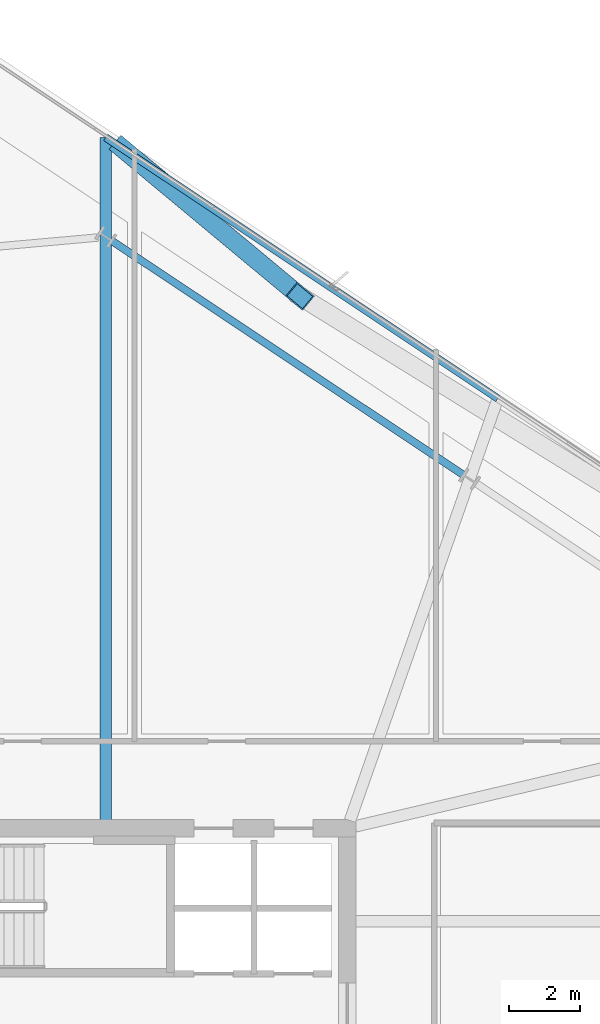
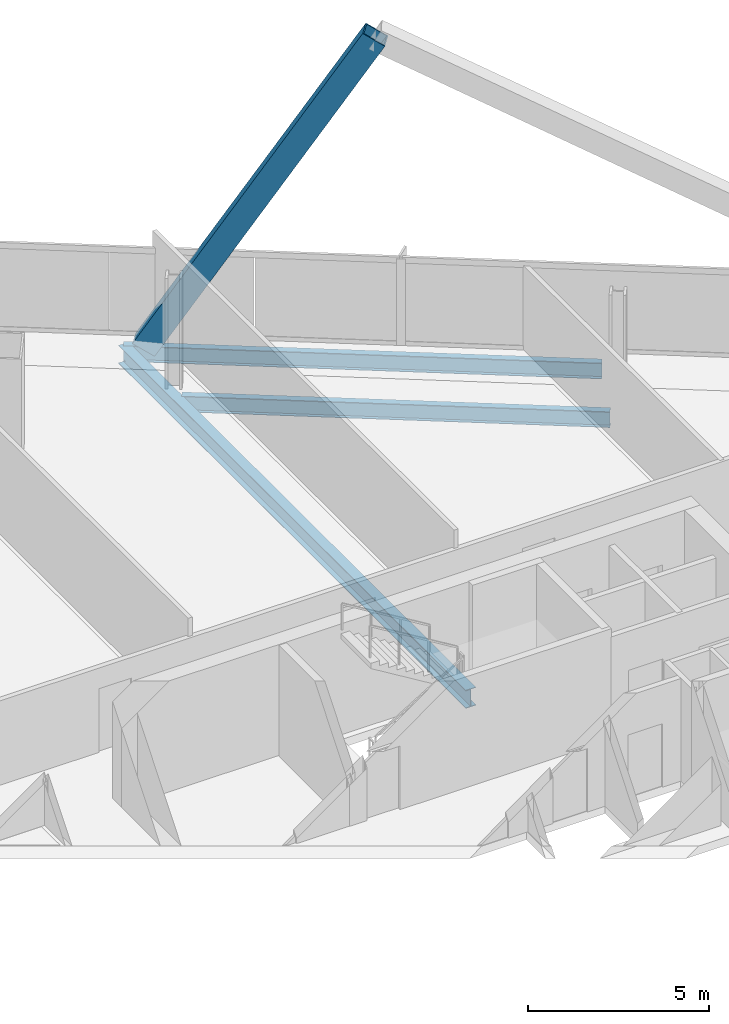
# One storey, part 21 of 32: 3 beams, 1 member.
"""IFC4 building model written with IfcOpenShell, lengths in metres."""

from ifc_helpers import new_model, si_unit, direction, frame, origin, origin_2d, place, context, subcontext, project, spatial, hollow_rectangle, i_section, extrude, material, material_profile, profile_set, type_object, element, save


model = new_model("IFC4")

# Units and contexts
model_context = context("Model", 3, precision=1e-05, world=origin(), true_north=direction((0.0, 1.0)))
body_context = subcontext(model_context, "Body", "Model", "MODEL_VIEW")
ifc_project = project(units=[si_unit("LENGTHUNIT", "METRE"), si_unit("AREAUNIT", "SQUARE_METRE"), si_unit("VOLUMEUNIT", "CUBIC_METRE"), si_unit("PLANEANGLEUNIT", "RADIAN"), si_unit("MASSUNIT", "GRAM", prefix="KILO")], contexts=[model_context])

# Site, building, storey
site_placement = place(None, origin())
site = spatial("IfcSite", under=ifc_project, at=site_placement, CompositionType="ELEMENT")
building_placement = place(site_placement, origin())
building = spatial("IfcBuilding", under=site, at=building_placement, Name="Haldenkirk Collegiate Tower", CompositionType="ELEMENT")
storey_placement = place(building_placement, frame((0.0, 0.0, 217.199951171875)))
storey = spatial("IfcBuildingStorey", under=building, at=storey_placement, Name="L54", CompositionType="ELEMENT", Elevation=217.199951171875)

# Beams
ifc_material_1 = material(Name="Steel ASTM A992 Grade 50", Category="steel")
ifc_material_profile_1 = material_profile(ifc_material_1, i_section(OverallWidth=0.324951171875, OverallDepth=0.615966796875, WebThickness=0.013916015625, FlangeThickness=0.021484375, at=origin_2d()), Name="W24X117")
ifc_profile_set_1 = profile_set([ifc_material_profile_1], Name="Steel ASTM A992 Grade 50")
beam_type_1 = type_object("IfcBeamType", Name="BM-GIRDER-W24X117", PredefinedType="BEAM", material=ifc_profile_set_1)
beam_1_placement = place(storey_placement, frame((38.192626953125, 53.467529296875, -0.587890625), z_axis=(0.0, -1.0, 0.0), x_axis=(1.0, 0.0, 0.0)))
element("IfcBeam", 1, at=beam_1_placement, inside=storey, type_object=beam_type_1, Name="L54 primary floor girder 10", PredefinedType="BEAM", context=body_context, shape_type="SweptSolid", body=[
    extrude(i_section(OverallWidth=0.324951171875, OverallDepth=0.615966796875, WebThickness=0.013916015625, FlangeThickness=0.021484375, at=origin_2d()), origin(), (0.0, 0.0, 1.0), 19.237548828125),
])
ifc_material_profile_2 = material_profile(ifc_material_1, i_section(OverallWidth=0.2099609375, OverallDepth=0.537109375, WebThickness=0.010986328125, FlangeThickness=0.017333984375, at=origin_2d()), Name="W21X68")
ifc_profile_set_2 = profile_set([ifc_material_profile_2], Name="Steel ASTM A992 Grade 50")
beam_type_2 = type_object("IfcBeamType", Name="BM-SPANDREL-W21X68", PredefinedType="SPANDREL", material=ifc_profile_set_2)
beam_2_placement = place(storey_placement, frame((48.266845703125, 43.96240234375, -0.54833984375), z_axis=(-0.832429330124, 0.554131221237, 0.0), x_axis=(-0.554131221237, -0.832429330124, 0.0)))
element("IfcBeam", 2, at=beam_2_placement, inside=storey, type_object=beam_type_2, Name="L54 perimeter spandrel beam 07", PredefinedType="SPANDREL", context=body_context, shape_type="SweptSolid", body=[
    extrude(i_section(OverallWidth=0.2099609375, OverallDepth=0.537109375, WebThickness=0.010986328125, FlangeThickness=0.017333984375, at=origin_2d()), origin(), (0.0, 0.0, 1.0), 11.88525390625),
])
beam_3_placement = place(storey_placement, frame((49.242431640625, 46.112060546875, -0.54833984375), z_axis=(-0.832434917349, 0.554122827881, 0.0), x_axis=(-0.554122827881, -0.832434917349, 0.0)))
element("IfcBeam", 3, at=beam_3_placement, inside=storey, type_object=beam_type_2, Name="L54 outer facade edge beam 2B", PredefinedType="SPANDREL", context=body_context, shape_type="SweptSolid", body=[
    extrude(i_section(OverallWidth=0.2099609375, OverallDepth=0.537109375, WebThickness=0.010986328125, FlangeThickness=0.017333984375, at=origin_2d()), origin(), (0.0, 0.0, 1.0), 13.274169921875),
])

# Member
ifc_material_2 = material(Name="Steel ASTM A572 Grade 50", Category="steel")
ifc_material_profile_3 = material_profile(ifc_material_2, hollow_rectangle(XDim=0.52001953125, YDim=0.719970703125, WallThickness=0.035888671875, at=origin_2d()), Name="BOX720X520X36")
ifc_profile_set_3 = profile_set([ifc_material_profile_3], Name="Steel ASTM A572 Grade 50")
member_type = type_object("IfcMemberType", Name="MBR-MEGABRACE-BOX720X520X36", PredefinedType="BRACE", material=ifc_profile_set_3)
member_placement = place(storey_placement, frame((38.692138671875, 53.135009765625, -0.2900390625), z_axis=(0.383165001205, -0.318959279037, 0.866861903747), x_axis=(0.639776042258, 0.768561393613, 0.0)))
element("IfcMember", 4, at=member_placement, inside=storey, type_object=member_type, Name="Perimeter Mega Brace Z4 L54-L56 ER", PredefinedType="BRACE", context=body_context, shape_type="SweptSolid", body=[
    extrude(hollow_rectangle(XDim=0.52001953125, YDim=0.719970703125, WallThickness=0.035888671875, at=origin_2d()), origin(), (0.0, 0.0, 1.0), 12.977783203125),
])

save(model, "model.ifc")
